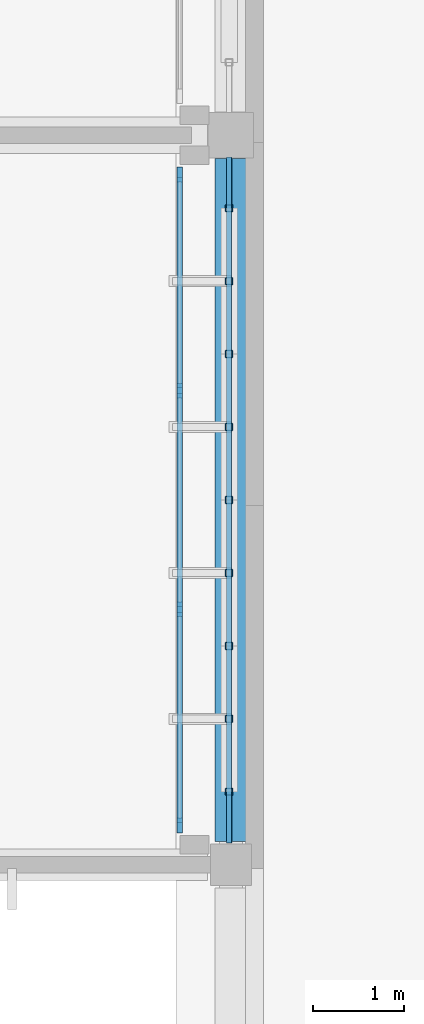
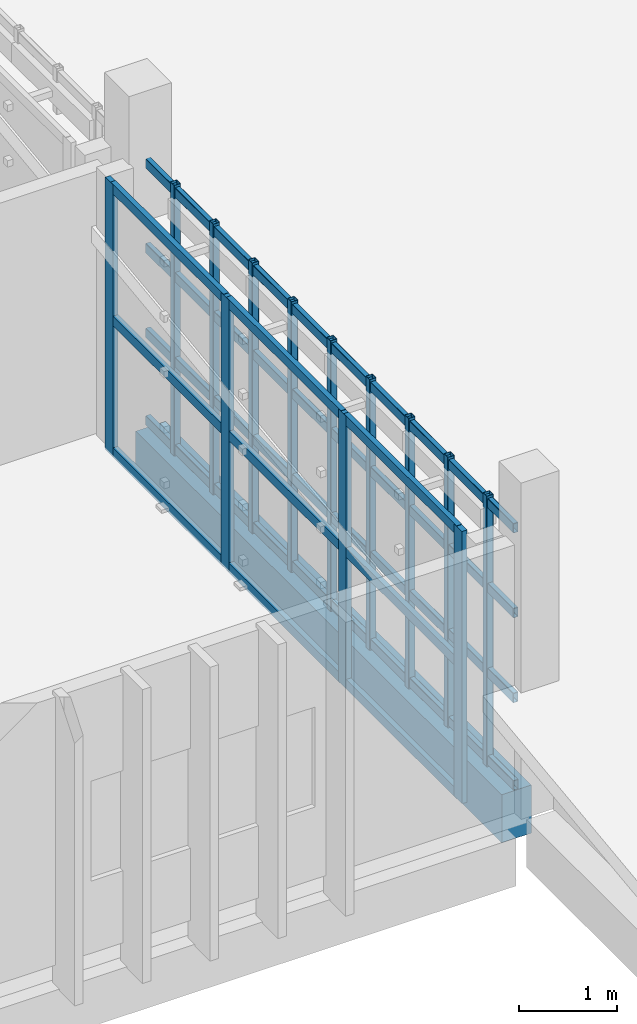
# One storey, part 38 of 83: 26 members, 1 beam, 1 element without a shape of its own.
"""IFC4 building model written with IfcOpenShell, lengths in metres."""

from ifc_helpers import new_model, si_unit, direction, frame, origin, origin_2d, place, context, subcontext, project, spatial, rectangle, hollow_rectangle, extrude, material, layer, layer_set, material_profile, profile_set, type_object, element, aggregate, save


model = new_model("IFC4")

# Units and contexts
model_context = context("Model", 3, precision=1e-05, world=origin(), true_north=direction((0.0, 1.0)))
body_context = subcontext(model_context, "Body", "Model", "MODEL_VIEW")
ifc_project = project(units=[si_unit("LENGTHUNIT", "METRE"), si_unit("AREAUNIT", "SQUARE_METRE"), si_unit("VOLUMEUNIT", "CUBIC_METRE"), si_unit("PLANEANGLEUNIT", "RADIAN"), si_unit("MASSUNIT", "GRAM", prefix="KILO")], contexts=[model_context])

# Site, building, storey
site_placement = place(None, origin())
site = spatial("IfcSite", under=ifc_project, at=site_placement, CompositionType="ELEMENT")
building_placement = place(site_placement, origin())
building = spatial("IfcBuilding", under=site, at=building_placement, Name="Jelvoka-Kovrelna Polytechnic", CompositionType="ELEMENT")
storey_placement = place(building_placement, frame((0.0, 0.0, 13.800048828125)))
storey = spatial("IfcBuildingStorey", under=building, at=storey_placement, Name="L04", CompositionType="ELEMENT", Elevation=13.800048828125)

# Members
ifc_material_1 = material(Name="Structural steel S355J2H", Category="steel")
ifc_material_profile_1 = material_profile(ifc_material_1, hollow_rectangle(XDim=0.06005859375, YDim=0.1201171875, WallThickness=0.0048828125, InnerFilletRadius=0.0048828125, OuterFilletRadius=0.007568359375, at=origin_2d()), Name="120x60x5.0 RHS")
ifc_profile_set_1 = profile_set([ifc_material_profile_1], Name="Structural steel S355J2H")
member_type_1 = type_object("IfcMemberType", Name="Member_Strut_RHS120", PredefinedType="STRUT", material=ifc_profile_set_1)
for number, where, z_axis, x_axis, name in (
    (1, (159.97998046875, 8.239990234375, 0.079833984375), (0.0, 1.0, 0.0), (-1.0, 0.0, 0.0), "L04 terracotta screen horizontal strut 0053"),
    (2, (159.97998046875, 8.239990234375, 1.17138671875), (0.0, 1.0, 0.0), (-1.0, 0.0, 0.0), "L04 terracotta screen horizontal strut 0054"),
    (3, (159.97998046875, 8.239990234375, 2.230712890625), (0.0, 1.0, 0.0), (-1.0, 0.0, 0.0), "L04 terracotta screen horizontal strut 0055"),
    (4, (159.97998046875, 8.239990234375, 3.2900390625), (0.0, 1.0, 0.0), (-1.0, 0.0, 0.0), "L04 terracotta screen horizontal strut 0056"),
):
    element("IfcMember", number, at=place(storey_placement, frame(where, z_axis=z_axis, x_axis=x_axis)), inside=storey, type_object=member_type_1, Name=name, PredefinedType="STRUT", context=body_context, shape_type="SweptSolid", body=[
        extrude(hollow_rectangle(XDim=0.06005859375, YDim=0.1201171875, WallThickness=0.0048828125, InnerFilletRadius=0.0048828125, OuterFilletRadius=0.007568359375, at=origin_2d()), origin(), (0.0, 0.0, 1.0), 7.52001953125),
    ])
ifc_material_2 = material(Name="Structural steel S355J2H", Category="steel")
ifc_material_profile_2 = material_profile(ifc_material_2, hollow_rectangle(XDim=0.080078125, YDim=0.080078125, WallThickness=0.0048828125, InnerFilletRadius=0.0048828125, OuterFilletRadius=0.007568359375, at=origin_2d()), Name="80x80x5.0 SHS")
ifc_profile_set_2 = profile_set([ifc_material_profile_2], Name="Structural steel S355J2H")
member_type_2 = type_object("IfcMemberType", Name="Member_Strut_SHS80", PredefinedType="STRUT", material=ifc_profile_set_2)
for number, where, z_axis, x_axis, name in (
    (5, (159.97998046875, 8.800048828125, -0.22998046875), (0.0, 0.0, 1.0), (1.0, 0.0, 0.0), "L04 terracotta lattice vertical rib 0057"),
    (6, (159.97998046875, 9.60009765625, -0.22998046875), (0.0, 0.0, 1.0), (1.0, 0.0, 0.0), "L04 terracotta lattice vertical rib 0058"),
    (7, (159.97998046875, 10.39990234375, -0.22998046875), (0.0, 0.0, 1.0), (1.0, 0.0, 0.0), "L04 terracotta lattice vertical rib 0059"),
    (8, (159.97998046875, 11.199951171875, -0.22998046875), (0.0, 0.0, 1.0), (1.0, 0.0, 0.0), "L04 terracotta lattice vertical rib 0060"),
    (9, (159.97998046875, 12.0, -0.22998046875), (0.0, 0.0, 1.0), (1.0, 0.0, 0.0), "L04 terracotta lattice vertical rib 0061"),
    (10, (159.97998046875, 12.800048828125, -0.22998046875), (0.0, 0.0, 1.0), (1.0, 0.0, 0.0), "L04 terracotta lattice vertical rib 0062"),
    (11, (159.97998046875, 13.60009765625, -0.22998046875), (0.0, 0.0, 1.0), (1.0, 0.0, 0.0), "L04 terracotta lattice vertical rib 0063"),
    (12, (159.97998046875, 14.39990234375, -0.22998046875), (0.0, 0.0, 1.0), (1.0, 0.0, 0.0), "L04 terracotta lattice vertical rib 0064"),
    (13, (159.97998046875, 15.199951171875, -0.22998046875), (0.0, 0.0, 1.0), (1.0, 0.0, 0.0), "L04 terracotta lattice vertical rib 0065"),
):
    element("IfcMember", number, at=place(storey_placement, frame(where, z_axis=z_axis, x_axis=x_axis)), inside=storey, type_object=member_type_2, Name=name, PredefinedType="STRUT", context=body_context, shape_type="SweptSolid", body=[
        extrude(hollow_rectangle(XDim=0.080078125, YDim=0.080078125, WallThickness=0.0048828125, InnerFilletRadius=0.0048828125, OuterFilletRadius=0.007568359375, at=origin_2d()), origin(), (0.0, 0.0, 1.0), 3.60986328125),
    ])

# Curtain wall, members
ifc_material_3 = material(Name="Anodised aluminium 6063-T6", Category="aluminium")
ifc_layer = layer(ifc_material_3, 0.159912109375)
ifc_layer_set = layer_set([ifc_layer], Name="Anodised aluminium 6063-T6")
curtain_wall_type = type_object("IfcCurtainWallType", Name="CW_Recessed_A", PredefinedType="NOTDEFINED", material=ifc_layer_set)
curtain_wall_placement = place(storey_placement, origin())
curtain_wall = element("IfcCurtainWall", 14, at=curtain_wall_placement, inside=storey, type_object=curtain_wall_type, Name="L04 glazed curtain wall 005", PredefinedType="NOTDEFINED")
ifc_material_4 = material(Name="Anodised aluminium 6063-T6", Category="aluminium")
ifc_material_profile_3 = material_profile(ifc_material_4, rectangle(XDim=0.06005859375, YDim=0.159912109375, at=origin_2d()), Name="ALU 60x160")
ifc_profile_set_3 = profile_set([ifc_material_profile_3], Name="Anodised aluminium 6063-T6")
member_type_3 = type_object("IfcMemberType", Name="Mullion_M-01", PredefinedType="MULLION", material=ifc_profile_set_3)
member_1_placement = place(storey_placement, frame((159.43994140625, 15.570068359375, -0.02490234375), z_axis=(0.0, 0.0, 1.0), x_axis=(1.0, 0.0, 0.0)))
member_1 = element("IfcMember", 15, at=member_1_placement, type_object=member_type_3, Name="CW-01 mullion 1", PredefinedType="MULLION", context=body_context, shape_type="SweptSolid", body=[
    extrude(rectangle(XDim=0.06005859375, YDim=0.159912109375, at=origin_2d()), origin(), (0.0, 0.0, 1.0), 3.39990234375),
])
member_2_placement = place(storey_placement, frame((159.43994140625, 13.199951171875, -0.02490234375), z_axis=(0.0, 0.0, 1.0), x_axis=(1.0, 0.0, 0.0)))
member_2 = element("IfcMember", 16, at=member_2_placement, type_object=member_type_3, Name="CW-01 mullion 2", PredefinedType="MULLION", context=body_context, shape_type="SweptSolid", body=[
    extrude(rectangle(XDim=0.06005859375, YDim=0.159912109375, at=origin_2d()), origin(), (0.0, 0.0, 1.0), 3.39990234375),
])
member_3_placement = place(storey_placement, frame((159.43994140625, 10.800048828125, -0.02490234375), z_axis=(0.0, 0.0, 1.0), x_axis=(1.0, 0.0, 0.0)))
member_3 = element("IfcMember", 17, at=member_3_placement, type_object=member_type_3, Name="CW-01 mullion 3", PredefinedType="MULLION", context=body_context, shape_type="SweptSolid", body=[
    extrude(rectangle(XDim=0.06005859375, YDim=0.159912109375, at=origin_2d()), origin(), (0.0, 0.0, 1.0), 3.39990234375),
])
member_4_placement = place(storey_placement, frame((159.43994140625, 8.429931640625, -0.02490234375), z_axis=(0.0, 0.0, 1.0), x_axis=(1.0, 0.0, 0.0)))
member_4 = element("IfcMember", 18, at=member_4_placement, type_object=member_type_3, Name="CW-01 mullion 4", PredefinedType="MULLION", context=body_context, shape_type="SweptSolid", body=[
    extrude(rectangle(XDim=0.06005859375, YDim=0.159912109375, at=origin_2d()), origin(), (0.0, 0.0, 1.0), 3.39990234375),
])

# Beam
ifc_material_5 = material(Name="Concrete C40/50", Category="concrete")
ifc_material_profile_4 = material_profile(ifc_material_5, rectangle(XDim=0.35009765625, YDim=0.60009765625, at=origin_2d()), Name="RC 350x600")
ifc_profile_set_4 = profile_set([ifc_material_profile_4], Name="Concrete C40/50")
beam_type = type_object("IfcBeamType", Name="Spandrel_RC_350x600", PredefinedType="SPANDREL", material=ifc_profile_set_4)
beam_placement = place(storey_placement, frame((160.0, 8.2548828125, -0.300048828125), z_axis=(0.0, 1.0, 0.0), x_axis=(-1.0, 0.0, 0.0)))
element("IfcBeam", 19, at=beam_placement, inside=storey, type_object=beam_type, Name="L04 beam 0270", PredefinedType="SPANDREL", context=body_context, shape_type="SweptSolid", body=[
    extrude(rectangle(XDim=0.35009765625, YDim=0.60009765625, at=origin_2d()), origin(), (0.0, 0.0, 1.0), 7.490234375),
])

# Member
ifc_material_6 = material(Name="Anodised aluminium 6063-T6", Category="aluminium")
ifc_material_profile_5 = material_profile(ifc_material_6, rectangle(XDim=0.06005859375, YDim=0.1201171875, at=origin_2d()), Name="ALU 60x120")
ifc_profile_set_5 = profile_set([ifc_material_profile_5], Name="Anodised aluminium 6063-T6")
member_type_4 = type_object("IfcMemberType", Name="Transom_T-01", PredefinedType="USERDEFINED", material=ifc_profile_set_5)
member_5_placement = place(storey_placement, frame((159.43994140625, 15.5400390625, 0.030029296875), z_axis=(0.0, -1.0, 0.0), x_axis=(1.0, 0.0, 0.0)))
member_5 = element("IfcMember", 20, at=member_5_placement, type_object=member_type_4, Name="CW-01 transom 1.1", ObjectType="TRANSOM", PredefinedType="USERDEFINED", context=body_context, shape_type="SweptSolid", body=[
    extrude(rectangle(XDim=0.06005859375, YDim=0.1201171875, at=origin_2d()), origin(), (0.0, 0.0, 1.0), 2.31005859375),
])

member_6_placement = place(storey_placement, frame((159.43994140625, 15.5400390625, 1.675048828125), z_axis=(0.0, -1.0, 0.0), x_axis=(1.0, 0.0, 0.0)))
member_6 = element("IfcMember", 21, at=member_6_placement, type_object=member_type_4, Name="CW-01 transom 1.2", ObjectType="TRANSOM", PredefinedType="USERDEFINED", context=body_context, shape_type="SweptSolid", body=[
    extrude(rectangle(XDim=0.06005859375, YDim=0.1201171875, at=origin_2d()), origin(), (0.0, 0.0, 1.0), 2.31005859375),
])

member_7_placement = place(storey_placement, frame((159.43994140625, 15.5400390625, 3.320068359375), z_axis=(0.0, -1.0, 0.0), x_axis=(1.0, 0.0, 0.0)))
member_7 = element("IfcMember", 22, at=member_7_placement, type_object=member_type_4, Name="CW-01 transom 1.3", ObjectType="TRANSOM", PredefinedType="USERDEFINED", context=body_context, shape_type="SweptSolid", body=[
    extrude(rectangle(XDim=0.06005859375, YDim=0.1201171875, at=origin_2d()), origin(), (0.0, 0.0, 1.0), 2.31005859375),
])

member_8_placement = place(storey_placement, frame((159.43994140625, 13.169921875, 0.030029296875), z_axis=(0.0, -1.0, 0.0), x_axis=(1.0, 0.0, 0.0)))
member_8 = element("IfcMember", 23, at=member_8_placement, type_object=member_type_4, Name="CW-01 transom 2.1", ObjectType="TRANSOM", PredefinedType="USERDEFINED", context=body_context, shape_type="SweptSolid", body=[
    extrude(rectangle(XDim=0.06005859375, YDim=0.1201171875, at=origin_2d()), origin(), (0.0, 0.0, 1.0), 2.33984375),
])

member_9_placement = place(storey_placement, frame((159.43994140625, 13.169921875, 1.675048828125), z_axis=(0.0, -1.0, 0.0), x_axis=(1.0, 0.0, 0.0)))
member_9 = element("IfcMember", 24, at=member_9_placement, type_object=member_type_4, Name="CW-01 transom 2.2", ObjectType="TRANSOM", PredefinedType="USERDEFINED", context=body_context, shape_type="SweptSolid", body=[
    extrude(rectangle(XDim=0.06005859375, YDim=0.1201171875, at=origin_2d()), origin(), (0.0, 0.0, 1.0), 2.33984375),
])

member_10_placement = place(storey_placement, frame((159.43994140625, 13.169921875, 3.320068359375), z_axis=(0.0, -1.0, 0.0), x_axis=(1.0, 0.0, 0.0)))
member_10 = element("IfcMember", 25, at=member_10_placement, type_object=member_type_4, Name="CW-01 transom 2.3", ObjectType="TRANSOM", PredefinedType="USERDEFINED", context=body_context, shape_type="SweptSolid", body=[
    extrude(rectangle(XDim=0.06005859375, YDim=0.1201171875, at=origin_2d()), origin(), (0.0, 0.0, 1.0), 2.33984375),
])

member_11_placement = place(storey_placement, frame((159.43994140625, 10.77001953125, 0.030029296875), z_axis=(0.0, -1.0, 0.0), x_axis=(1.0, 0.0, 0.0)))
member_11 = element("IfcMember", 26, at=member_11_placement, type_object=member_type_4, Name="CW-01 transom 3.1", ObjectType="TRANSOM", PredefinedType="USERDEFINED", context=body_context, shape_type="SweptSolid", body=[
    extrude(rectangle(XDim=0.06005859375, YDim=0.1201171875, at=origin_2d()), origin(), (0.0, 0.0, 1.0), 2.31005859375),
])

member_12_placement = place(storey_placement, frame((159.43994140625, 10.77001953125, 1.675048828125), z_axis=(0.0, -1.0, 0.0), x_axis=(1.0, 0.0, 0.0)))
member_12 = element("IfcMember", 27, at=member_12_placement, type_object=member_type_4, Name="CW-01 transom 3.2", ObjectType="TRANSOM", PredefinedType="USERDEFINED", context=body_context, shape_type="SweptSolid", body=[
    extrude(rectangle(XDim=0.06005859375, YDim=0.1201171875, at=origin_2d()), origin(), (0.0, 0.0, 1.0), 2.31005859375),
])

member_13_placement = place(storey_placement, frame((159.43994140625, 10.77001953125, 3.320068359375), z_axis=(0.0, -1.0, 0.0), x_axis=(1.0, 0.0, 0.0)))
member_13 = element("IfcMember", 28, at=member_13_placement, type_object=member_type_4, Name="CW-01 transom 3.3", ObjectType="TRANSOM", PredefinedType="USERDEFINED", context=body_context, shape_type="SweptSolid", body=[
    extrude(rectangle(XDim=0.06005859375, YDim=0.1201171875, at=origin_2d()), origin(), (0.0, 0.0, 1.0), 2.31005859375),
])

aggregate(curtain_wall, [member_1, member_2, member_3, member_4, member_5, member_6, member_7, member_8, member_9, member_10, member_11, member_12, member_13])

save(model, "model.ifc")
